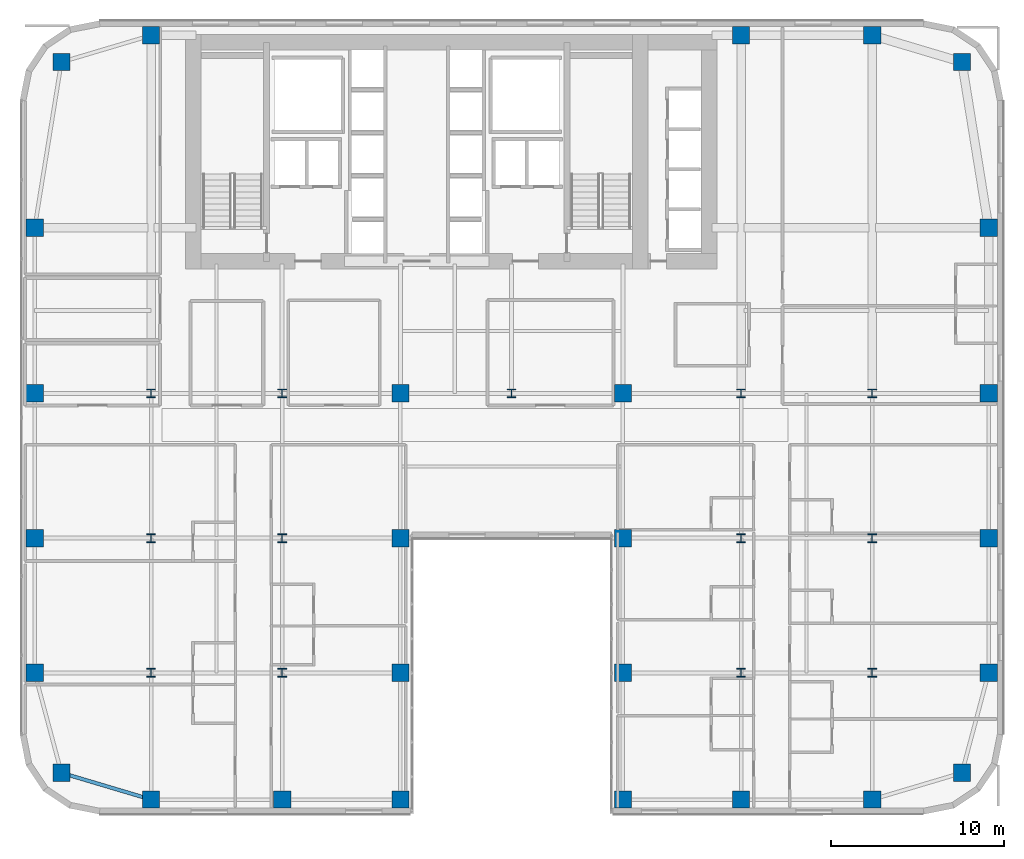
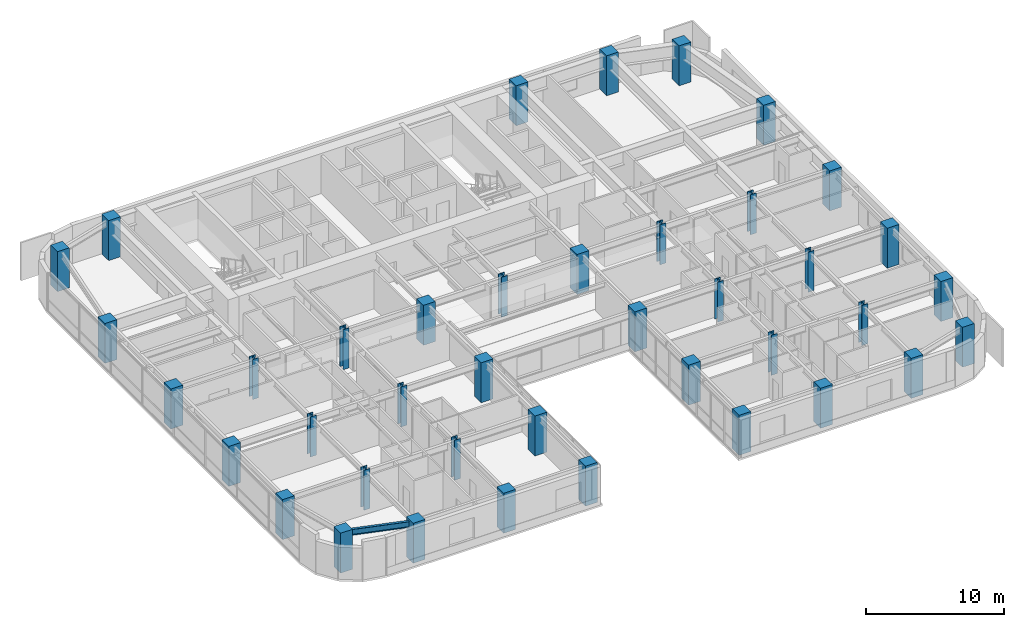
# One storey, part 1 of 37: 40 columns, 1 beam.
"""IFC4 building model written with IfcOpenShell, lengths in metres."""

from ifc_helpers import new_model, si_unit, direction, frame, origin, origin_2d, place, context, subcontext, project, spatial, rectangle, i_section, extrude, source, transform, mapped, material, material_profile, profile_set, type_object, type_shapes, element, save


model = new_model("IFC4")

# Units and contexts
model_context = context("Model", 3, precision=1e-05, world=origin(), true_north=direction((0.0, 1.0)))
body_context = subcontext(model_context, "Body", "Model", "MODEL_VIEW")
ifc_project = project(units=[si_unit("LENGTHUNIT", "METRE"), si_unit("AREAUNIT", "SQUARE_METRE"), si_unit("VOLUMEUNIT", "CUBIC_METRE"), si_unit("PLANEANGLEUNIT", "RADIAN"), si_unit("MASSUNIT", "GRAM", prefix="KILO")], contexts=[model_context])

# Site, building, storey
site_placement = place(None, origin())
site = spatial("IfcSite", under=ifc_project, at=site_placement, CompositionType="ELEMENT")
building_placement = place(site_placement, origin())
building = spatial("IfcBuilding", under=site, at=building_placement, Name="Tolvann Quenvar Hotel", CompositionType="ELEMENT")
storey_placement = place(building_placement, frame((0.0, 0.0, 53.300048828125)))
storey = spatial("IfcBuildingStorey", under=building, at=storey_placement, Name="L12", CompositionType="ELEMENT", Elevation=53.300048828125)

# Columns
ifc_material_1 = material(Name="Concrete S65 (65 MPa)", Category="concrete")
ifc_material_profile_1 = material_profile(ifc_material_1, rectangle(XDim=1.0, YDim=1.0, at=origin_2d()), Name="RC1000x1000")
ifc_profile_set_1 = profile_set([ifc_material_profile_1], Name="Concrete S65 (65 MPa)")
column_type_1 = type_object("IfcColumnType", Name="COL_RC1000", PredefinedType="COLUMN", material=ifc_profile_set_1)
shared_shape_1 = source(origin(), body_context, "Body", "SweptSolid", [
    extrude(rectangle(XDim=1.0, YDim=1.0, at=origin_2d()), origin(), (0.0, 0.0, 1.0), 3.550048828125),
])
type_shapes(column_type_1, [shared_shape_1])
for number, where, z_axis, x_axis, name in (
    (1, (2.39990234375, 2.39990234375, 0.0), (0.0, 0.0, 1.0), (1.0, 0.0, 0.0), "Column B2 (L12)"),
    (2, (0.85009765625, 8.199951171875, 0.0), (0.0, 0.0, 1.0), (1.0, 0.0, 0.0), "Column B3 (L12)"),
    (3, (0.85009765625, 16.0, 0.0), (0.0, 0.0, 1.0), (1.0, 0.0, 0.0), "Column B4 (L12)"),
    (4, (0.85009765625, 24.39990234375, 0.0), (0.0, 0.0, 1.0), (1.0, 0.0, 0.0), "Column B5 (L12)"),
    (5, (7.60009765625, 0.85009765625, 0.0), (0.0, 0.0, 1.0), (1.0, 0.0, 0.0), "Column C2 (L12)"),
    (6, (15.199951171875, 0.85009765625, 0.0), (0.0, 0.0, 1.0), (1.0, 0.0, 0.0), "Column D2 (L12)"),
    (7, (22.050048828125, 0.85009765625, 0.0), (0.0, 0.0, 1.0), (1.0, 0.0, 0.0), "Column E2 (L12)"),
    (8, (22.050048828125, 8.199951171875, 0.0), (0.0, 0.0, 1.0), (1.0, 0.0, 0.0), "Column E3 (L12)"),
    (9, (22.050048828125, 16.0, 0.0), (0.0, 0.0, 1.0), (1.0, 0.0, 0.0), "Column E4 (L12)"),
    (10, (22.050048828125, 24.39990234375, 0.0), (0.0, 0.0, 1.0), (1.0, 0.0, 0.0), "Column E5 (L12)"),
    (11, (34.949951171875, 0.85009765625, 0.0), (0.0, 0.0, 1.0), (1.0, 0.0, 0.0), "Column F2 (L12)"),
    (12, (34.949951171875, 8.199951171875, 0.0), (0.0, 0.0, 1.0), (1.0, 0.0, 0.0), "Column F3 (L12)"),
    (13, (34.949951171875, 16.0, 0.0), (0.0, 0.0, 1.0), (1.0, 0.0, 0.0), "Column F4 (L12)"),
    (14, (34.949951171875, 24.39990234375, 0.0), (0.0, 0.0, 1.0), (1.0, 0.0, 0.0), "Column F5 (L12)"),
    (15, (41.800048828125, 0.85009765625, 0.0), (0.0, 0.0, 1.0), (1.0, 0.0, 0.0), "Column H2 (L12)"),
    (16, (49.39990234375, 0.85009765625, 0.0), (0.0, 0.0, 1.0), (1.0, 0.0, 0.0), "Column I2 (L12)"),
    (17, (54.60009765625, 2.39990234375, 0.0), (0.0, 0.0, 1.0), (1.0, 0.0, 0.0), "Column J2 (L12)"),
    (18, (56.14990234375, 8.199951171875, 0.0), (0.0, 0.0, 1.0), (1.0, 0.0, 0.0), "Column J3 (L12)"),
    (19, (56.14990234375, 16.0, 0.0), (0.0, 0.0, 1.0), (1.0, 0.0, 0.0), "Column J4 (L12)"),
    (20, (56.14990234375, 24.39990234375, 0.0), (0.0, 0.0, 1.0), (1.0, 0.0, 0.0), "Column J5 (L12)"),
    (21, (2.39990234375, 43.60009765625, 0.0), (0.0, 0.0, 1.0), (1.0, 0.0, 0.0), "Column BN (L12)"),
    (22, (7.60009765625, 45.14990234375, 0.0), (0.0, 0.0, 1.0), (1.0, 0.0, 0.0), "Column CN (L12)"),
    (23, (0.85009765625, 34.0, 0.0), (0.0, 0.0, 1.0), (1.0, 0.0, 0.0), "Column BD6 (L12)"),
    (24, (41.800048828125, 45.14990234375, 0.0), (0.0, 0.0, 1.0), (1.0, 0.0, 0.0), "Column HN (L12)"),
    (25, (49.39990234375, 45.14990234375, 0.0), (0.0, 0.0, 1.0), (1.0, 0.0, 0.0), "Column IN (L12)"),
    (26, (54.60009765625, 43.60009765625, 0.0), (0.0, 0.0, 1.0), (1.0, 0.0, 0.0), "Column JN (L12)"),
    (27, (56.14990234375, 34.0, 0.0), (0.0, 0.0, 1.0), (1.0, 0.0, 0.0), "Column JD6 (L12)"),
):
    element("IfcColumn", number, at=place(storey_placement, frame(where, z_axis=z_axis, x_axis=x_axis)), inside=storey, type_object=column_type_1, Name=name, PredefinedType="COLUMN", context=body_context, shape_type="MappedRepresentation", body=[
        mapped(shared_shape_1, transform((0.0, 0.0, 0.0), x_axis=(1.0, 0.0, 0.0), y_axis=(0.0, 1.0, 0.0), z_axis=(0.0, 0.0, 1.0), scale=1.0)),
    ])
ifc_material_2 = material(Name="Steel Grade 350", Category="steel")
ifc_material_profile_2 = material_profile(ifc_material_2, i_section(OverallWidth=0.5, OverallDepth=0.5, WebThickness=0.028076171875, FlangeThickness=0.044921875, at=origin_2d()), Name="500WC440")
ifc_profile_set_2 = profile_set([ifc_material_profile_2], Name="Steel Grade 350")
column_type_2 = type_object("IfcColumnType", Name="COL_500WC440", PredefinedType="COLUMN", material=ifc_profile_set_2)
shared_shape_2 = source(origin(), body_context, "Body", "SweptSolid", [
    extrude(i_section(OverallWidth=0.5, OverallDepth=0.5, WebThickness=0.028076171875, FlangeThickness=0.044921875, at=origin_2d()), origin(), (0.0, 0.0, 1.0), 3.550048828125),
])
type_shapes(column_type_2, [shared_shape_2])
for number, where, z_axis, x_axis, name in (
    (28, (7.60009765625, 8.199951171875, 0.0), (0.0, 0.0, 1.0), (1.0, 0.0, 0.0), "Column C3 (L12)"),
    (29, (7.60009765625, 16.0, 0.0), (0.0, 0.0, 1.0), (1.0, 0.0, 0.0), "Column C4 (L12)"),
    (30, (7.60009765625, 24.39990234375, 0.0), (0.0, 0.0, 1.0), (1.0, 0.0, 0.0), "Column C5 (L12)"),
    (31, (15.199951171875, 8.199951171875, 0.0), (0.0, 0.0, 1.0), (1.0, 0.0, 0.0), "Column D3 (L12)"),
    (32, (15.199951171875, 16.0, 0.0), (0.0, 0.0, 1.0), (1.0, 0.0, 0.0), "Column D4 (L12)"),
    (33, (15.199951171875, 24.39990234375, 0.0), (0.0, 0.0, 1.0), (1.0, 0.0, 0.0), "Column D5 (L12)"),
    (34, (41.800048828125, 8.199951171875, 0.0), (0.0, 0.0, 1.0), (1.0, 0.0, 0.0), "Column H3 (L12)"),
    (35, (41.800048828125, 16.0, 0.0), (0.0, 0.0, 1.0), (1.0, 0.0, 0.0), "Column H4 (L12)"),
    (36, (41.800048828125, 24.39990234375, 0.0), (0.0, 0.0, 1.0), (1.0, 0.0, 0.0), "Column H5 (L12)"),
    (37, (49.39990234375, 8.199951171875, 0.0), (0.0, 0.0, 1.0), (1.0, 0.0, 0.0), "Column I3 (L12)"),
    (38, (49.39990234375, 16.0, 0.0), (0.0, 0.0, 1.0), (1.0, 0.0, 0.0), "Column I4 (L12)"),
    (39, (49.39990234375, 24.39990234375, 0.0), (0.0, 0.0, 1.0), (1.0, 0.0, 0.0), "Column I5 (L12)"),
    (40, (28.5, 24.39990234375, 0.0), (0.0, 0.0, 1.0), (1.0, 0.0, 0.0), "Column M5 (L12)"),
):
    element("IfcColumn", number, at=place(storey_placement, frame(where, z_axis=z_axis, x_axis=x_axis)), inside=storey, type_object=column_type_2, Name=name, PredefinedType="COLUMN", context=body_context, shape_type="MappedRepresentation", body=[
        mapped(shared_shape_2, transform((0.0, 0.0, 0.0), x_axis=(1.0, 0.0, 0.0), y_axis=(0.0, 1.0, 0.0), z_axis=(0.0, 0.0, 1.0), scale=1.0)),
    ])

# Beam
ifc_material_profile_3 = material_profile(ifc_material_2, i_section(OverallWidth=0.208984375, OverallDepth=0.528076171875, WebThickness=0.009521484375, FlangeThickness=0.01318359375, FilletRadius=0.013916015625, at=origin_2d()), Name="530UB82")
ifc_profile_set_3 = profile_set([ifc_material_profile_3], Name="Steel Grade 350")
beam_type = type_object("IfcBeamType", Name="BM_SPAND_530UB82", PredefinedType="SPANDREL", material=ifc_profile_set_3)
shared_shape_3 = source(origin(), body_context, "Body", "SweptSolid", [
    extrude(i_section(OverallWidth=0.208984375, OverallDepth=0.528076171875, WebThickness=0.009521484375, FlangeThickness=0.01318359375, FilletRadius=0.013916015625, at=origin_2d()), origin(), (0.0, 0.0, 1.0), 5.42626953125),
])
type_shapes(beam_type, [shared_shape_3])
beam_placement = place(storey_placement, frame((2.39990234375, 2.39990234375, 3.10595703125), z_axis=(0.958344815522, -0.285613750654, 0.0), x_axis=(0.285613750654, 0.958344815522, 0.0)))
element("IfcBeam", 41, at=beam_placement, inside=storey, type_object=beam_type, Name="BM-L12-EW-2-B2-C2", PredefinedType="SPANDREL", context=body_context, shape_type="MappedRepresentation", body=[
    mapped(shared_shape_3, transform((0.0, 0.0, 0.0), x_axis=(1.0, 0.0, 0.0), y_axis=(0.0, 1.0, 0.0), z_axis=(0.0, 0.0, 1.0), scale=1.0)),
])

save(model, "model.ifc")
